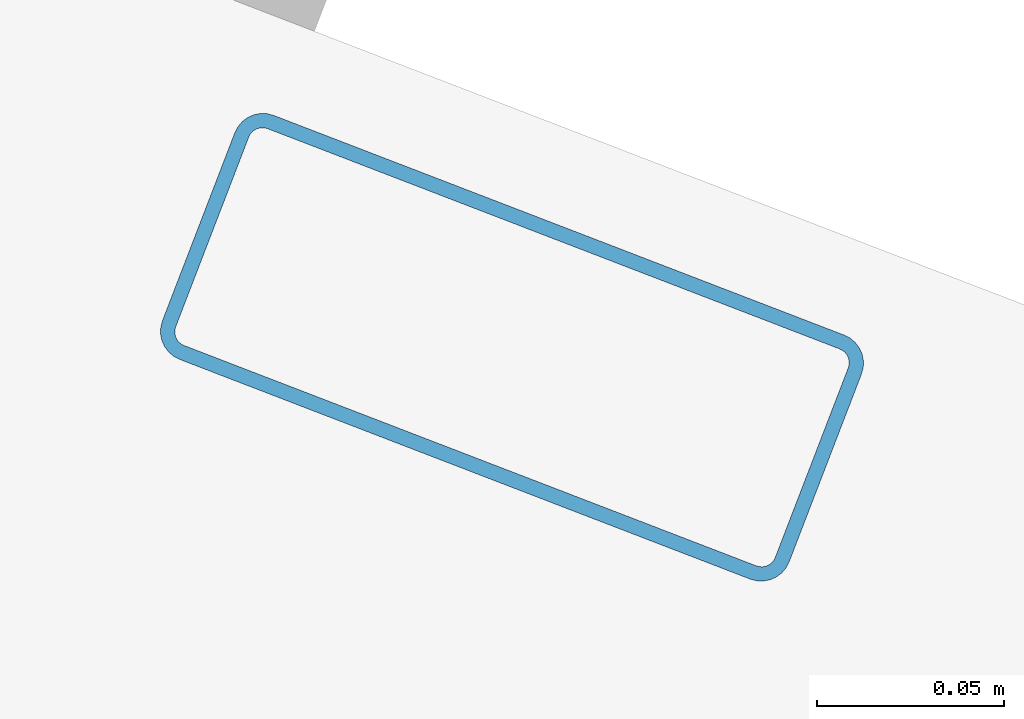
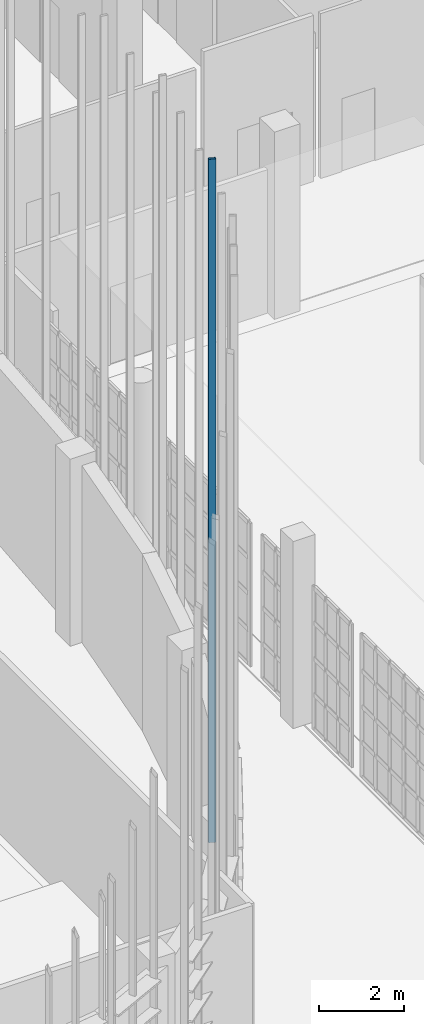
# One storey, part 212 of 372: 1 member.
"""IFC4 building model written with IfcOpenShell, lengths in metres."""

from ifc_helpers import new_model, si_unit, direction, frame, origin, origin_2d, place, context, subcontext, project, spatial, hollow_rectangle, extrude, material, material_profile, profile_set, type_object, element, save


model = new_model("IFC4")

# Units and contexts
model_context = context("Model", 3, precision=1e-05, world=origin(), true_north=direction((0.0, 1.0)))
body_context = subcontext(model_context, "Body", "Model", "MODEL_VIEW")
ifc_project = project(units=[si_unit("LENGTHUNIT", "METRE"), si_unit("AREAUNIT", "SQUARE_METRE"), si_unit("VOLUMEUNIT", "CUBIC_METRE"), si_unit("PLANEANGLEUNIT", "RADIAN"), si_unit("MASSUNIT", "GRAM", prefix="KILO")], contexts=[model_context])

# Site, building, storey
site_placement = place(None, origin())
site = spatial("IfcSite", under=ifc_project, at=site_placement, CompositionType="ELEMENT")
building_placement = place(site_placement, origin())
building = spatial("IfcBuilding", under=site, at=building_placement, Name="Kaelora Sail Theatre", CompositionType="ELEMENT")
storey_placement = place(building_placement, origin())
storey = spatial("IfcBuildingStorey", under=building, at=storey_placement, Name="L00", CompositionType="ELEMENT", Elevation=0.0)

# Member
ifc_material = material(Name="Anodised aluminium 6063-T6", Category="aluminium")
ifc_material_profile = material_profile(ifc_material, hollow_rectangle(XDim=0.070068359375, YDim=0.179931640625, WallThickness=0.00390625, InnerFilletRadius=0.00390625, OuterFilletRadius=0.008056640625, at=origin_2d()), Name="ALU-MULL 70x180x4")
ifc_profile_set = profile_set([ifc_material_profile], Name="Anodised aluminium 6063-T6")
member_type = type_object("IfcMemberType", Name="ARC-MEM-PST-160", PredefinedType="POST", material=ifc_profile_set)
member_placement = place(storey_placement, frame((102.51123046875, 42.767578125, 0.0), z_axis=(0.0, 0.0, 1.0), x_axis=(-0.359345396006, -0.933204632634, 0.0)))
element("IfcMember", 1, at=member_placement, inside=storey, type_object=member_type, Name="Studio Theatre Sail Drum solar louvre vertical support post C5-1", PredefinedType="POST", context=body_context, shape_type="SweptSolid", body=[
    extrude(hollow_rectangle(XDim=0.070068359375, YDim=0.179931640625, WallThickness=0.00390625, InnerFilletRadius=0.00390625, OuterFilletRadius=0.008056640625, at=origin_2d()), origin(), (0.0, 0.0, 1.0), 19.72119140625),
])

save(model, "model.ifc")
